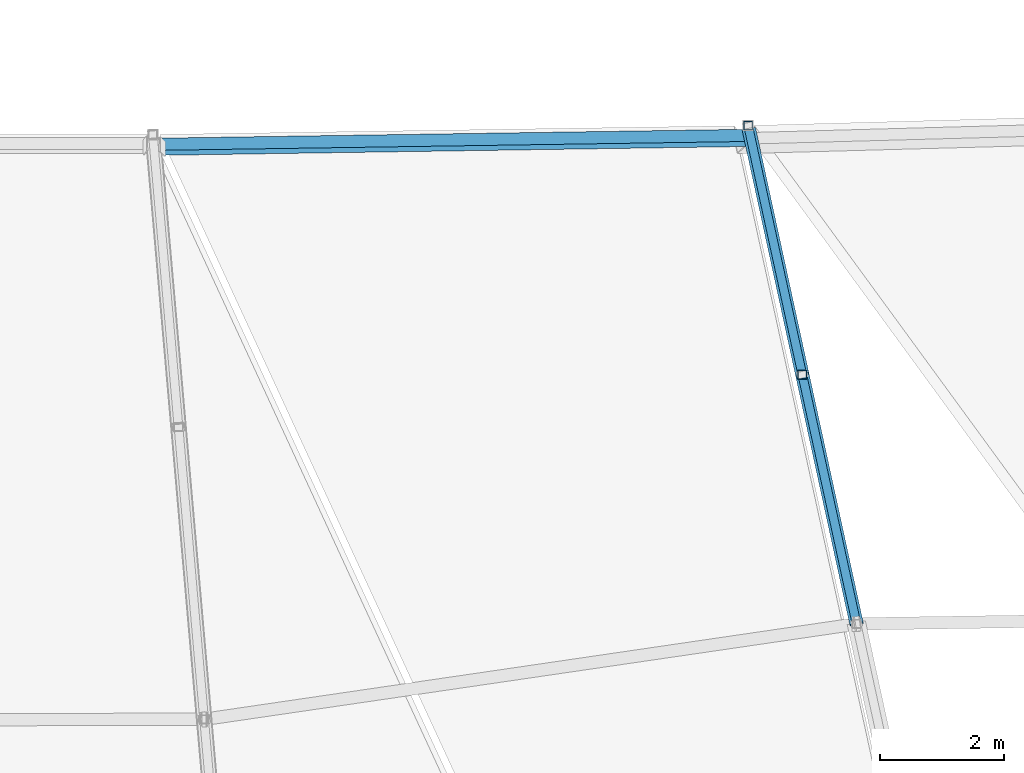
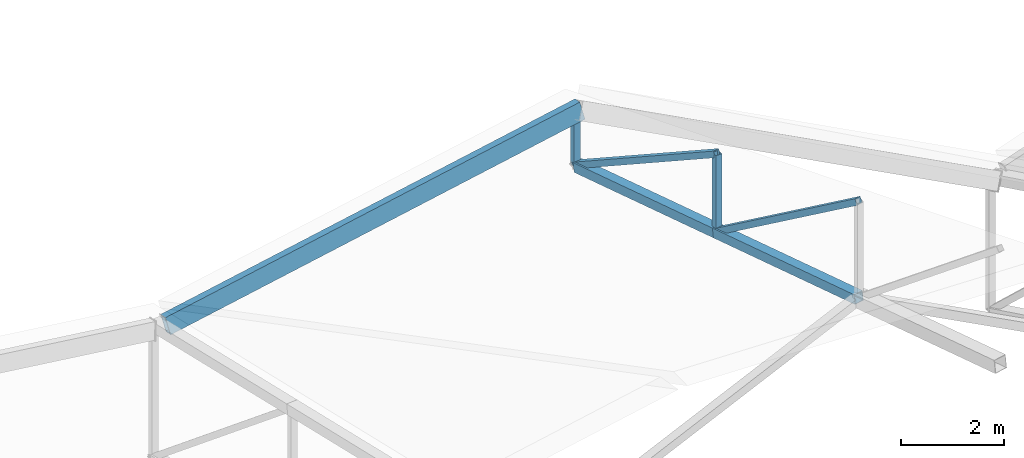
# One storey, part 47 of 344: 6 members, 1 beam.
"""IFC4 building model written with IfcOpenShell, lengths in metres."""

from ifc_helpers import new_model, si_unit, direction, frame, origin, origin_2d, place, context, subcontext, project, spatial, hollow_rectangle, extrude, material, material_profile, profile_set, type_object, element, save


model = new_model("IFC4")

# Units and contexts
model_context = context("Model", 3, precision=1e-05, world=origin(), true_north=direction((0.0, 1.0)))
body_context = subcontext(model_context, "Body", "Model", "MODEL_VIEW")
ifc_project = project(units=[si_unit("LENGTHUNIT", "METRE"), si_unit("AREAUNIT", "SQUARE_METRE"), si_unit("VOLUMEUNIT", "CUBIC_METRE"), si_unit("PLANEANGLEUNIT", "RADIAN"), si_unit("MASSUNIT", "GRAM", prefix="KILO")], contexts=[model_context])

# Site, building, storey
site_placement = place(None, origin())
site = spatial("IfcSite", under=ifc_project, at=site_placement, CompositionType="ELEMENT")
building_placement = place(site_placement, origin())
building = spatial("IfcBuilding", under=site, at=building_placement, Name="Meseta Stadium", CompositionType="ELEMENT")
storey_placement = place(building_placement, frame((0.0, 0.0, 24.0)))
storey = spatial("IfcBuildingStorey", under=building, at=storey_placement, Name="L04", CompositionType="ELEMENT", Elevation=24.0)

# Beam
ifc_material_1 = material(Name="Steel S355", Category="steel")
ifc_material_profile_1 = material_profile(ifc_material_1, hollow_rectangle(XDim=0.199951171875, YDim=0.39990234375, WallThickness=0.01611328125, at=origin_2d()), Name="RHS 400x200x16")
ifc_profile_set_1 = profile_set([ifc_material_profile_1], Name="Steel S355")
beam_type = type_object("IfcBeamType", Name="RHS 400x200x16 tip ring beam", PredefinedType="BEAM", material=ifc_profile_set_1)
beam_placement = place(storey_placement, frame((4.970703125, -66.177490234375, 4.981689453125), z_axis=(0.983038626372, 0.014818780601, 0.182798968274), x_axis=(0.022040349062, 0.979960669929, -0.197967947923)))
element("IfcBeam", 1, at=beam_placement, inside=storey, type_object=beam_type, Name="TIP RING BEAM 48", PredefinedType="BEAM", context=body_context, shape_type="SweptSolid", body=[
    extrude(hollow_rectangle(XDim=0.199951171875, YDim=0.39990234375, WallThickness=0.01611328125, at=origin_2d()), origin(), (0.0, 0.0, 1.0), 9.572021484375),
])

# Members
ifc_material_2 = material(Name="Steel S355", Category="steel")
ifc_material_profile_2 = material_profile(ifc_material_2, hollow_rectangle(XDim=0.139892578125, YDim=0.139892578125, WallThickness=0.0048828125, at=origin_2d()), Name="SHS 140x140x5")
ifc_profile_set_2 = profile_set([ifc_material_profile_2], Name="Steel S355")
member_type_1 = type_object("IfcMemberType", Name="SHS 140x140x5 diagonal", PredefinedType="BRACE", material=ifc_profile_set_2)
member_1_placement = place(storey_placement, frame((14.3896484375, -65.8369140625, 5.29296875), z_axis=(0.183749864553, -0.844190862624, 0.50356506505), x_axis=(0.97712104234, 0.212683964174, 0.0)))
element("IfcMember", 2, at=member_1_placement, inside=storey, type_object=member_type_1, Name="ROOF TRUSS RT-48 diagonal", PredefinedType="BRACE", context=body_context, shape_type="SweptSolid", body=[
    extrude(hollow_rectangle(XDim=0.139892578125, YDim=0.139892578125, WallThickness=0.0048828125, at=origin_2d()), origin(), (0.0, 0.0, 1.0), 4.751220703125),
])
member_2_placement = place(storey_placement, frame((15.2626953125, -69.847900390625, 5.834716796875), z_axis=(0.174832190533, -0.803269823951, 0.569377989637), x_axis=(0.977123732443, 0.212671604821, 0.0)))
element("IfcMember", 3, at=member_2_placement, inside=storey, type_object=member_type_1, Name="ROOF TRUSS RT-48 diagonal", PredefinedType="BRACE", context=body_context, shape_type="SweptSolid", body=[
    extrude(hollow_rectangle(XDim=0.139892578125, YDim=0.139892578125, WallThickness=0.0048828125, at=origin_2d()), origin(), (0.0, 0.0, 1.0), 4.99365234375),
])
ifc_material_3 = material(Name="Steel S355", Category="steel")
ifc_material_profile_3 = material_profile(ifc_material_3, hollow_rectangle(XDim=0.139892578125, YDim=0.139892578125, WallThickness=0.0048828125, at=origin_2d()), Name="SHS 140x140x5")
ifc_profile_set_3 = profile_set([ifc_material_profile_3], Name="Steel S355")
member_type_2 = type_object("IfcMemberType", Name="SHS 140x140x5 post", PredefinedType="POST", material=ifc_profile_set_3)
member_3_placement = place(storey_placement, frame((15.2626953125, -69.847900390625, 5.834716796875), z_axis=(0.0, 0.0, 1.0), x_axis=(1.0, 0.0, 0.0)))
element("IfcMember", 4, at=member_3_placement, inside=storey, type_object=member_type_2, Name="ROOF TRUSS RT-48 post", PredefinedType="POST", context=body_context, shape_type="SweptSolid", body=[
    extrude(hollow_rectangle(XDim=0.139892578125, YDim=0.139892578125, WallThickness=0.0048828125, at=origin_2d()), origin(), (0.0, 0.0, 1.0), 1.850830078125),
])
ifc_material_4 = material(Name="Steel S355", Category="steel")
ifc_material_profile_4 = material_profile(ifc_material_4, hollow_rectangle(XDim=0.139892578125, YDim=0.139892578125, WallThickness=0.0048828125, at=origin_2d()), Name="SHS 140x140x5")
ifc_profile_set_4 = profile_set([ifc_material_profile_4], Name="Steel S355")
member_type_3 = type_object("IfcMemberType", Name="SHS 140x140x5 rim post", PredefinedType="POST", material=ifc_profile_set_4)
member_4_placement = place(storey_placement, frame((14.3896484375, -65.8369140625, 5.29296875), z_axis=(0.0, 0.0, 1.0), x_axis=(1.0, 0.0, 0.0)))
element("IfcMember", 5, at=member_4_placement, inside=storey, type_object=member_type_3, Name="ROOF TRUSS RT-48 post", PredefinedType="POST", context=body_context, shape_type="SweptSolid", body=[
    extrude(hollow_rectangle(XDim=0.139892578125, YDim=0.139892578125, WallThickness=0.0048828125, at=origin_2d()), origin(), (0.0, 0.0, 1.0), 1.400146484375),
])
ifc_material_5 = material(Name="Steel S355", Category="steel")
ifc_material_profile_5 = material_profile(ifc_material_5, hollow_rectangle(XDim=0.219970703125, YDim=0.219970703125, WallThickness=0.008056640625, at=origin_2d()), Name="SHS 220x220x8")
ifc_profile_set_5 = profile_set([ifc_material_profile_5], Name="Steel S355")
member_type_4 = type_object("IfcMemberType", Name="SHS 220x220x8 bottom chord", PredefinedType="CHORD", material=ifc_profile_set_5)
member_5_placement = place(storey_placement, frame((14.404541015625, -65.904541015625, 5.30224609375), z_axis=(0.210816035623, -0.968734169953, 0.130807901478), x_axis=(0.977129931286, 0.212643122119, 0.0)))
element("IfcMember", 6, at=member_5_placement, inside=storey, type_object=member_type_4, Name="ROOF TRUSS RT-48 bottom chord", PredefinedType="CHORD", context=body_context, shape_type="SweptSolid", body=[
    extrude(hollow_rectangle(XDim=0.219970703125, YDim=0.219970703125, WallThickness=0.008056640625, at=origin_2d()), origin(), (0.0, 0.0, 1.0), 4.070556640625),
])
member_6_placement = place(storey_placement, frame((15.2626953125, -69.847900390625, 5.834716796875), z_axis=(0.210845171668, -0.968732150589, 0.130775892271), x_axis=(0.977123732443, 0.212671604821, 0.0)))
element("IfcMember", 7, at=member_6_placement, inside=storey, type_object=member_type_4, Name="ROOF TRUSS RT-48 bottom chord", PredefinedType="CHORD", context=body_context, shape_type="SweptSolid", body=[
    extrude(hollow_rectangle(XDim=0.219970703125, YDim=0.219970703125, WallThickness=0.008056640625, at=origin_2d()), origin(), (0.0, 0.0, 1.0), 4.140625),
])

save(model, "model.ifc")
